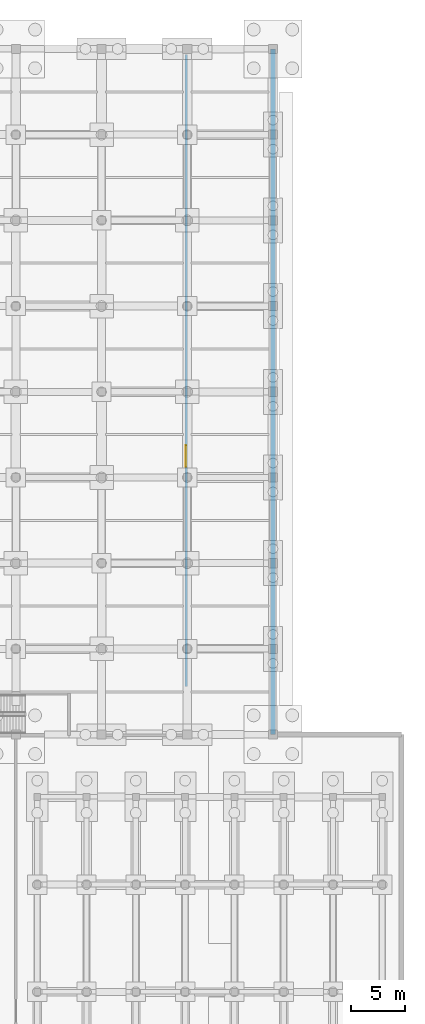
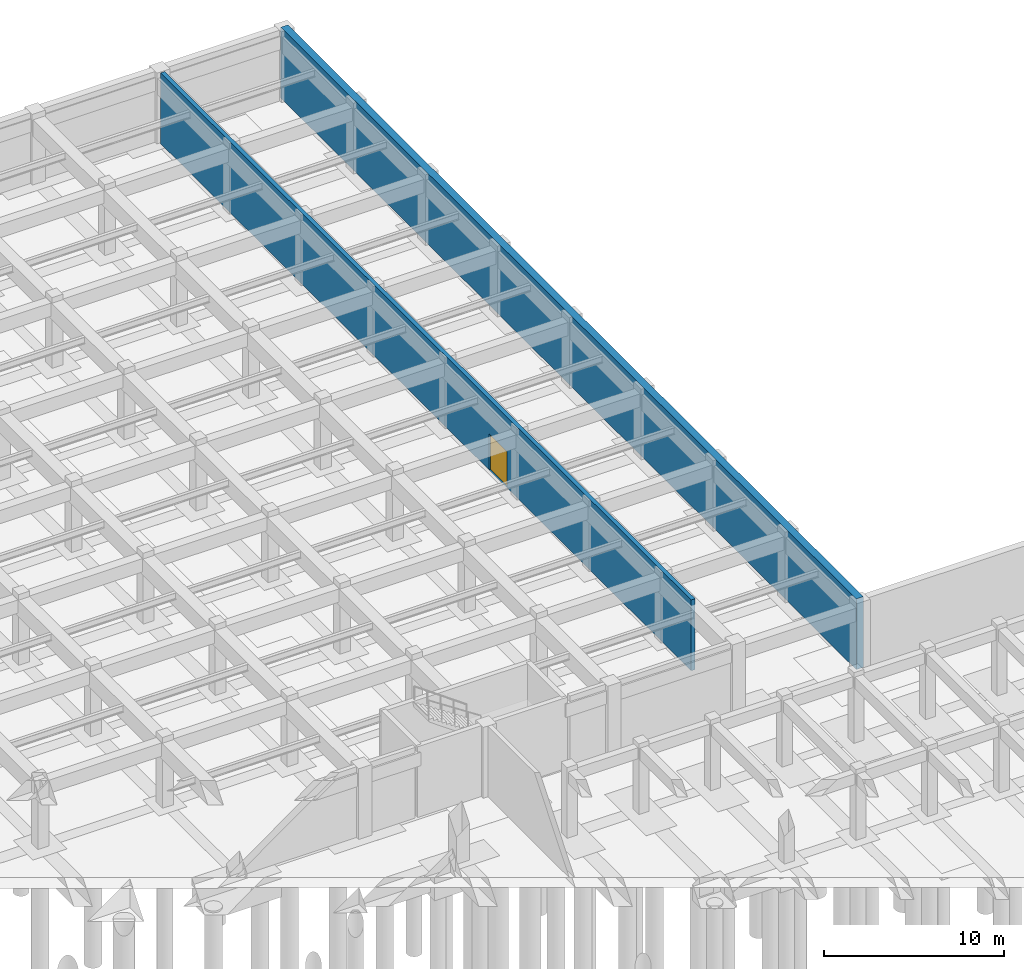
# One storey, part 36 of 48: 2 walls, 1 door, 1 opening.
"""IFC4 building model written with IfcOpenShell, lengths in metres."""

from ifc_helpers import new_model, si_unit, direction, frame, frame_2d, origin, place, context, subcontext, project, spatial, rectangle, extrude, material, layer, layer_set, type_object, element, fill, save


model = new_model("IFC4")

# Units and contexts
model_context = context("Model", 3, precision=1e-05, world=origin(), true_north=direction((0.0, 1.0)))
body_context = subcontext(model_context, "Body", "Model", "MODEL_VIEW")
ifc_project = project(units=[si_unit("LENGTHUNIT", "METRE"), si_unit("AREAUNIT", "SQUARE_METRE"), si_unit("VOLUMEUNIT", "CUBIC_METRE"), si_unit("PLANEANGLEUNIT", "RADIAN"), si_unit("MASSUNIT", "GRAM", prefix="KILO")], contexts=[model_context])

# Site, building, storey
site_placement = place(None, origin())
site = spatial("IfcSite", under=ifc_project, at=site_placement, CompositionType="ELEMENT")
building_placement = place(site_placement, origin())
building = spatial("IfcBuilding", under=site, at=building_placement, Name="Tlacozan Convention Centre", CompositionType="ELEMENT")
storey_placement = place(building_placement, frame((0.0, 0.0, -4.800048828125)))
storey = spatial("IfcBuildingStorey", under=building, at=storey_placement, Name="B01", CompositionType="ELEMENT", Elevation=-4.800048828125)

# Wall
ifc_material_1 = material(Name="Concrete C35/45", Category="concrete")
ifc_layer_1 = layer(ifc_material_1, 0.4599609375)
ifc_layer_set_1 = layer_set([ifc_layer_1], Name="Concrete C35/45")
wall_type_1 = type_object("IfcWallType", Name="Basement Retaining Wall 460", PredefinedType="SOLIDWALL", material=ifc_layer_set_1)
wall_1_placement = place(storey_placement, frame((168.0, 62.0, 0.0), z_axis=(0.0, 0.0, 1.0), x_axis=(0.0, 1.0, 0.0)))
element("IfcWall", 1, at=wall_1_placement, inside=storey, type_object=wall_type_1, Name="B01 Basement Retaining Wall 460 8", PredefinedType="SOLIDWALL", context=body_context, shape_type="SweptSolid", body=[
    extrude(rectangle(XDim=64.0, YDim=0.4599609375, at=frame_2d((32.0, 0.0))), origin(), (0.0, 0.0, 1.0), 4.800048828125),
])

# Wall, opening, door
ifc_material_2 = material(Name="Concrete C40/50", Category="concrete")
ifc_layer_2 = layer(ifc_material_2, 0.260009765625)
ifc_layer_set_2 = layer_set([ifc_layer_2], Name="Concrete C40/50")
wall_type_2 = type_object("IfcWallType", Name="Compartment Rated Wall RC 260", PredefinedType="SOLIDWALL", material=ifc_layer_set_2)
wall_2_placement = place(storey_placement, frame((159.89990234375, 66.5, 0.0), z_axis=(0.0, 0.0, 1.0), x_axis=(0.0, 1.0, 0.0)))
wall_2 = element("IfcWall", 2, at=wall_2_placement, inside=storey, type_object=wall_type_2, Name="B01 Compartment Rated Wall RC 260 567", PredefinedType="SOLIDWALL", context=body_context, shape_type="SweptSolid", body=[
    extrude(rectangle(XDim=59.0, YDim=0.260009765625, at=frame_2d((29.5, 0.0))), origin(), (0.0, 0.0, 1.0), 4.800048828125),
])
opening_placement = place(wall_2_placement, frame((20.5, 0.0, 0.0)))
opening = element("IfcOpeningElement", 3, at=opening_placement, cuts=wall_2, Name="Opening ID-12", PredefinedType="OPENING", context=body_context, shape_type="SweptSolid", body=[
    extrude(rectangle(XDim=2.0, YDim=2.449951171875, at=frame_2d((1.0, 1.22509765625))), frame((0.0, 0.139892578125, 0.0), z_axis=(0.0, -1.0, 0.0), x_axis=(1.0, 0.0, 0.0)), (0.0, 0.0, 1.0), 0.280029296875),
])
ifc_material_3 = material(Name="Fire-Rated Insulated Steel Door Leaf", Category="steel")
door_type = type_object("IfcDoorType", Name="Plant Equipment Double Door 2000x2450", OperationType="DOUBLE_DOOR_SINGLE_SWING", PredefinedType="DOOR", material=ifc_material_3)
door_placement = place(opening_placement, origin())
door = element("IfcDoor", 4, at=door_placement, inside=storey, type_object=door_type, Name="B01 Plant Equipment Double Door 2000x2450 153", OperationType="DOUBLE_DOOR_SINGLE_SWING", OverallHeight=2.449951171875, OverallWidth=2.0, PredefinedType="DOOR", context=body_context, shape_type="SweptSolid", body=[
    extrude(rectangle(XDim=2.0, YDim=2.449951171875, at=frame_2d((1.0, 1.22509765625))), frame((0.0, 0.02490234375, 0.0), z_axis=(0.0, -1.0, 0.0), x_axis=(1.0, 0.0, 0.0)), (0.0, 0.0, 1.0), 0.050048828125),
])
fill(opening, door)

save(model, "model.ifc")
